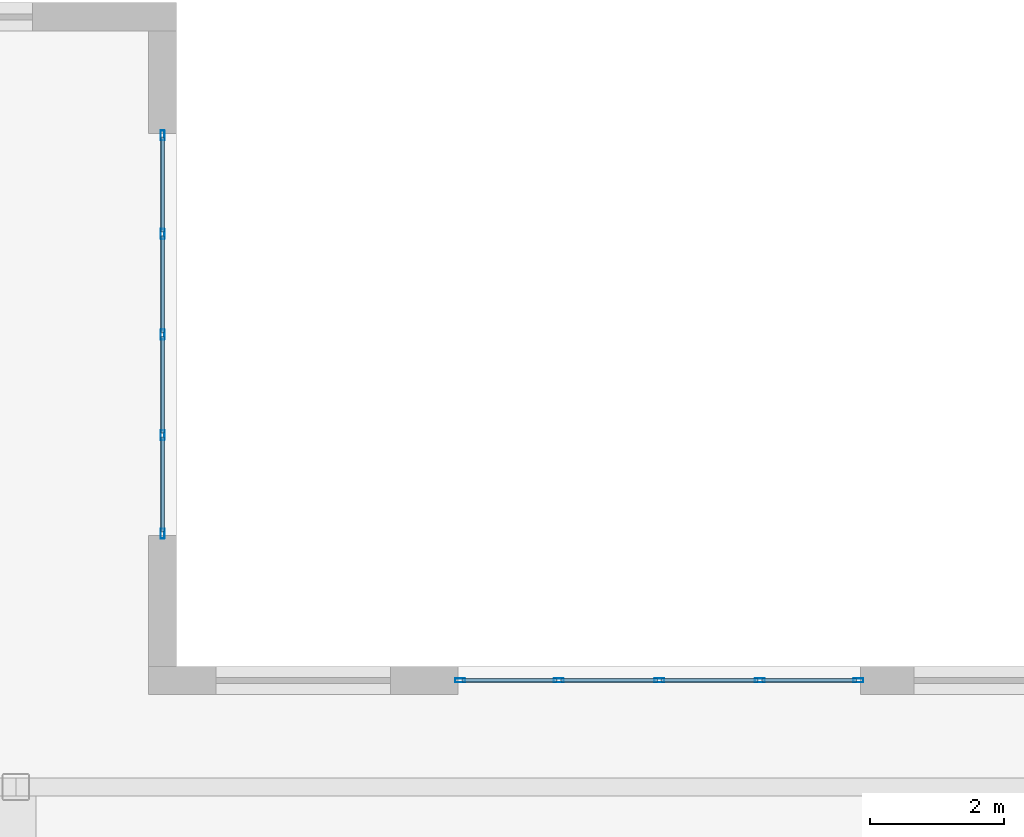
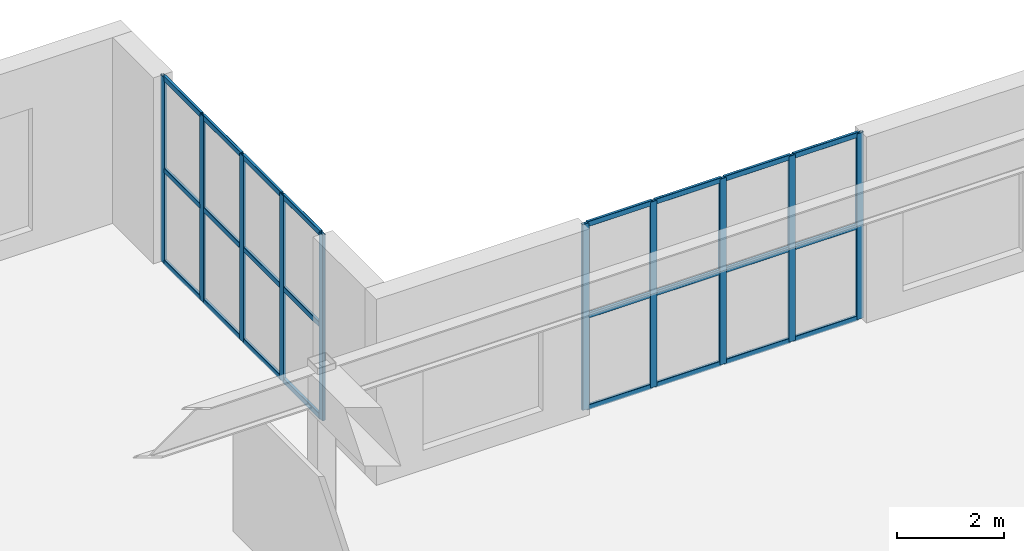
# One storey, part 7 of 15: 34 members, 2 elements without a shape of their own.
"""IFC4 building model written with IfcOpenShell, lengths in metres."""

from ifc_helpers import new_model, entity, si_unit, converted_unit, direction, frame, origin_with_axes, origin_2d_with_axis, place, context, subcontext, project, spatial, hollow_rectangle, extrude, material, material_profile, profile_set, type_object, element, aggregate, save


model = new_model("IFC4")

# Units and contexts
model_context = context("Model", 3, precision=1e-05, world=origin_with_axes(), true_north=direction((0.0, 1.0)))
body_context = subcontext(model_context, "Body", "Model", "MODEL_VIEW")
ifc_project = project(units=[si_unit("LENGTHUNIT", "METRE"), si_unit("AREAUNIT", "SQUARE_METRE"), si_unit("VOLUMEUNIT", "CUBIC_METRE"), converted_unit("PLANEANGLEUNIT", "DEGREE", entity("IfcPlaneAngleMeasure", 0.017453292519943295), si_unit("PLANEANGLEUNIT", "RADIAN"), dimensions=[0, 0, 0, 0, 0, 0, 0]), si_unit("MASSUNIT", "GRAM", prefix="KILO"), si_unit("THERMODYNAMICTEMPERATUREUNIT", "KELVIN")], contexts=[model_context])

# Site, building, storey
site_placement = place(None, origin_with_axes())
site = spatial("IfcSite", under=ifc_project, at=site_placement, CompositionType="ELEMENT")
building_placement = place(site_placement, origin_with_axes())
building = spatial("IfcBuilding", under=site, at=building_placement, Name="Varnlund Millrace Tower", CompositionType="ELEMENT")
storey_placement = place(building_placement, frame((0.0, 0.0, 15.3), z_axis=(0.0, 0.0, 1.0), x_axis=(1.0, 0.0, 0.0)))
storey = spatial("IfcBuildingStorey", under=building, at=storey_placement, Name="L03", CompositionType="ELEMENT", Elevation=15.3)

# Curtain wall, members
ifc_material_1 = material(Name="Thermally broken architectural bronze curtain wall", Category="aluminium")
curtain_wall_type = type_object("IfcCurtainWallType", Name="Type-CW-Sys3-PortalBridge", PredefinedType="NOTDEFINED", material=ifc_material_1)
curtain_wall_1_placement = place(storey_placement, frame((58.2, 39.39, 0.0), z_axis=(0.0, 0.0, 1.0), x_axis=(1.0, 0.0, 0.0)))
curtain_wall_1 = element("IfcCurtainWall", 1, at=curtain_wall_1_placement, inside=storey, type_object=curtain_wall_type, Name="Type-CW-Sys3-PortalBridge", PredefinedType="NOTDEFINED")
ifc_material_2 = material(Name="Architectural bronze aluminium alloy 6063-T6", Category="aluminium")
ifc_material_profile_1 = material_profile(ifc_material_2, hollow_rectangle(XDim=0.06, YDim=0.15, WallThickness=0.004, InnerFilletRadius=0.004, OuterFilletRadius=0.008, at=origin_2d_with_axis()), Name="Architectural bronze aluminium alloy 6063-T6")
ifc_profile_set_1 = profile_set([ifc_material_profile_1], Name="Architectural bronze aluminium alloy 6063-T6")
member_type_1 = type_object("IfcMemberType", Name="Type-CW-Mullion-60X150", PredefinedType="MULLION", material=ifc_profile_set_1)
member_1_placement = place(storey_placement, frame((58.23, 39.39, 0.0), z_axis=(0.0, 0.0, 1.0), x_axis=(0.0, 1.0, 0.0)))
member_1 = element("IfcMember", 2, at=member_1_placement, type_object=member_type_1, Name="CW-03 mullion 1", PredefinedType="MULLION", context=body_context, shape_type="SweptSolid", body=[
    extrude(hollow_rectangle(XDim=0.06, YDim=0.15, WallThickness=0.004, InnerFilletRadius=0.004, OuterFilletRadius=0.008, at=origin_2d_with_axis()), origin_with_axes(), (0.0, 0.0, 1.0), 4.26),
])
member_2_placement = place(storey_placement, frame((59.7, 39.39, 0.0), z_axis=(0.0, 0.0, 1.0), x_axis=(0.0, 1.0, 0.0)))
member_2 = element("IfcMember", 3, at=member_2_placement, type_object=member_type_1, Name="CW-03 mullion 2", PredefinedType="MULLION", context=body_context, shape_type="SweptSolid", body=[
    extrude(hollow_rectangle(XDim=0.06, YDim=0.15, WallThickness=0.004, InnerFilletRadius=0.004, OuterFilletRadius=0.008, at=origin_2d_with_axis()), origin_with_axes(), (0.0, 0.0, 1.0), 4.26),
])
member_3_placement = place(storey_placement, frame((61.2, 39.39, 0.0), z_axis=(0.0, 0.0, 1.0), x_axis=(0.0, 1.0, 0.0)))
member_3 = element("IfcMember", 4, at=member_3_placement, type_object=member_type_1, Name="CW-03 mullion 3", PredefinedType="MULLION", context=body_context, shape_type="SweptSolid", body=[
    extrude(hollow_rectangle(XDim=0.06, YDim=0.15, WallThickness=0.004, InnerFilletRadius=0.004, OuterFilletRadius=0.008, at=origin_2d_with_axis()), origin_with_axes(), (0.0, 0.0, 1.0), 4.26),
])
member_4_placement = place(storey_placement, frame((62.7, 39.39, 0.0), z_axis=(0.0, 0.0, 1.0), x_axis=(0.0, 1.0, 0.0)))
member_4 = element("IfcMember", 5, at=member_4_placement, type_object=member_type_1, Name="CW-03 mullion 4", PredefinedType="MULLION", context=body_context, shape_type="SweptSolid", body=[
    extrude(hollow_rectangle(XDim=0.06, YDim=0.15, WallThickness=0.004, InnerFilletRadius=0.004, OuterFilletRadius=0.008, at=origin_2d_with_axis()), origin_with_axes(), (0.0, 0.0, 1.0), 4.26),
])
member_5_placement = place(storey_placement, frame((64.17, 39.39, 0.0), z_axis=(0.0, 0.0, 1.0), x_axis=(0.0, 1.0, 0.0)))
member_5 = element("IfcMember", 6, at=member_5_placement, type_object=member_type_1, Name="CW-03 mullion 5", PredefinedType="MULLION", context=body_context, shape_type="SweptSolid", body=[
    extrude(hollow_rectangle(XDim=0.06, YDim=0.15, WallThickness=0.004, InnerFilletRadius=0.004, OuterFilletRadius=0.008, at=origin_2d_with_axis()), origin_with_axes(), (0.0, 0.0, 1.0), 4.26),
])

curtain_wall_2_placement = place(storey_placement, frame((53.79, 47.55, 0.0), z_axis=(0.0, 0.0, 1.0), x_axis=(1.0, 0.0, 0.0)))
curtain_wall_2 = element("IfcCurtainWall", 7, at=curtain_wall_2_placement, inside=storey, type_object=curtain_wall_type, Name="Type-CW-Sys3-PortalBridge", PredefinedType="NOTDEFINED")
member_6_placement = place(storey_placement, frame((53.79, 47.52, 0.0), z_axis=(0.0, 0.0, 1.0), x_axis=(1.0, 0.0, 0.0)))
member_6 = element("IfcMember", 8, at=member_6_placement, type_object=member_type_1, Name="CW-03 mullion 1", PredefinedType="MULLION", context=body_context, shape_type="SweptSolid", body=[
    extrude(hollow_rectangle(XDim=0.06, YDim=0.15, WallThickness=0.004, InnerFilletRadius=0.004, OuterFilletRadius=0.008, at=origin_2d_with_axis()), origin_with_axes(), (0.0, 0.0, 1.0), 4.26),
])
member_7_placement = place(storey_placement, frame((53.79, 46.05, 0.0), z_axis=(0.0, 0.0, 1.0), x_axis=(1.0, 0.0, 0.0)))
member_7 = element("IfcMember", 9, at=member_7_placement, type_object=member_type_1, Name="CW-03 mullion 2", PredefinedType="MULLION", context=body_context, shape_type="SweptSolid", body=[
    extrude(hollow_rectangle(XDim=0.06, YDim=0.15, WallThickness=0.004, InnerFilletRadius=0.004, OuterFilletRadius=0.008, at=origin_2d_with_axis()), origin_with_axes(), (0.0, 0.0, 1.0), 4.26),
])
member_8_placement = place(storey_placement, frame((53.79, 44.55, 0.0), z_axis=(0.0, 0.0, 1.0), x_axis=(1.0, 0.0, 0.0)))
member_8 = element("IfcMember", 10, at=member_8_placement, type_object=member_type_1, Name="CW-03 mullion 3", PredefinedType="MULLION", context=body_context, shape_type="SweptSolid", body=[
    extrude(hollow_rectangle(XDim=0.06, YDim=0.15, WallThickness=0.004, InnerFilletRadius=0.004, OuterFilletRadius=0.008, at=origin_2d_with_axis()), origin_with_axes(), (0.0, 0.0, 1.0), 4.26),
])
member_9_placement = place(storey_placement, frame((53.79, 43.05, 0.0), z_axis=(0.0, 0.0, 1.0), x_axis=(1.0, 0.0, 0.0)))
member_9 = element("IfcMember", 11, at=member_9_placement, type_object=member_type_1, Name="CW-03 mullion 4", PredefinedType="MULLION", context=body_context, shape_type="SweptSolid", body=[
    extrude(hollow_rectangle(XDim=0.06, YDim=0.15, WallThickness=0.004, InnerFilletRadius=0.004, OuterFilletRadius=0.008, at=origin_2d_with_axis()), origin_with_axes(), (0.0, 0.0, 1.0), 4.26),
])
member_10_placement = place(storey_placement, frame((53.79, 41.58, 0.0), z_axis=(0.0, 0.0, 1.0), x_axis=(1.0, 0.0, 0.0)))
member_10 = element("IfcMember", 12, at=member_10_placement, type_object=member_type_1, Name="CW-03 mullion 5", PredefinedType="MULLION", context=body_context, shape_type="SweptSolid", body=[
    extrude(hollow_rectangle(XDim=0.06, YDim=0.15, WallThickness=0.004, InnerFilletRadius=0.004, OuterFilletRadius=0.008, at=origin_2d_with_axis()), origin_with_axes(), (0.0, 0.0, 1.0), 4.26),
])

# Member
ifc_material_profile_2 = material_profile(ifc_material_2, hollow_rectangle(XDim=0.06, YDim=0.12, WallThickness=0.004, InnerFilletRadius=0.004, OuterFilletRadius=0.008, at=origin_2d_with_axis()), Name="Architectural bronze aluminium alloy 6063-T6")
ifc_profile_set_2 = profile_set([ifc_material_profile_2], Name="Architectural bronze aluminium alloy 6063-T6")
member_type_2 = type_object("IfcMemberType", Name="Type-CW-Transom-60X120", PredefinedType="USERDEFINED", material=ifc_profile_set_2)
member_11_placement = place(storey_placement, frame((58.26, 39.39, 0.03), z_axis=(1.0, 0.0, 0.0), x_axis=(0.0, 1.0, 0.0)))
member_11 = element("IfcMember", 13, at=member_11_placement, type_object=member_type_2, Name="CW-03 transom 1.1", ObjectType="TRANSOM", PredefinedType="USERDEFINED", context=body_context, shape_type="SweptSolid", body=[
    extrude(hollow_rectangle(XDim=0.06, YDim=0.12, WallThickness=0.004, InnerFilletRadius=0.004, OuterFilletRadius=0.008, at=origin_2d_with_axis()), origin_with_axes(), (0.0, 0.0, 1.0), 1.41),
])

member_12_placement = place(storey_placement, frame((58.26, 39.39, 2.13), z_axis=(1.0, 0.0, 0.0), x_axis=(0.0, 1.0, 0.0)))
member_12 = element("IfcMember", 14, at=member_12_placement, type_object=member_type_2, Name="CW-03 transom 1.2", ObjectType="TRANSOM", PredefinedType="USERDEFINED", context=body_context, shape_type="SweptSolid", body=[
    extrude(hollow_rectangle(XDim=0.06, YDim=0.12, WallThickness=0.004, InnerFilletRadius=0.004, OuterFilletRadius=0.008, at=origin_2d_with_axis()), origin_with_axes(), (0.0, 0.0, 1.0), 1.41),
])

member_13_placement = place(storey_placement, frame((58.26, 39.39, 4.23), z_axis=(1.0, 0.0, 0.0), x_axis=(0.0, 1.0, 0.0)))
member_13 = element("IfcMember", 15, at=member_13_placement, type_object=member_type_2, Name="CW-03 transom 1.3", ObjectType="TRANSOM", PredefinedType="USERDEFINED", context=body_context, shape_type="SweptSolid", body=[
    extrude(hollow_rectangle(XDim=0.06, YDim=0.12, WallThickness=0.004, InnerFilletRadius=0.004, OuterFilletRadius=0.008, at=origin_2d_with_axis()), origin_with_axes(), (0.0, 0.0, 1.0), 1.41),
])

member_14_placement = place(storey_placement, frame((59.73, 39.39, 0.03), z_axis=(1.0, 0.0, 0.0), x_axis=(0.0, 1.0, 0.0)))
member_14 = element("IfcMember", 16, at=member_14_placement, type_object=member_type_2, Name="CW-03 transom 2.1", ObjectType="TRANSOM", PredefinedType="USERDEFINED", context=body_context, shape_type="SweptSolid", body=[
    extrude(hollow_rectangle(XDim=0.06, YDim=0.12, WallThickness=0.004, InnerFilletRadius=0.004, OuterFilletRadius=0.008, at=origin_2d_with_axis()), origin_with_axes(), (0.0, 0.0, 1.0), 1.44),
])

member_15_placement = place(storey_placement, frame((59.73, 39.39, 2.13), z_axis=(1.0, 0.0, 0.0), x_axis=(0.0, 1.0, 0.0)))
member_15 = element("IfcMember", 17, at=member_15_placement, type_object=member_type_2, Name="CW-03 transom 2.2", ObjectType="TRANSOM", PredefinedType="USERDEFINED", context=body_context, shape_type="SweptSolid", body=[
    extrude(hollow_rectangle(XDim=0.06, YDim=0.12, WallThickness=0.004, InnerFilletRadius=0.004, OuterFilletRadius=0.008, at=origin_2d_with_axis()), origin_with_axes(), (0.0, 0.0, 1.0), 1.44),
])

member_16_placement = place(storey_placement, frame((59.73, 39.39, 4.23), z_axis=(1.0, 0.0, 0.0), x_axis=(0.0, 1.0, 0.0)))
member_16 = element("IfcMember", 18, at=member_16_placement, type_object=member_type_2, Name="CW-03 transom 2.3", ObjectType="TRANSOM", PredefinedType="USERDEFINED", context=body_context, shape_type="SweptSolid", body=[
    extrude(hollow_rectangle(XDim=0.06, YDim=0.12, WallThickness=0.004, InnerFilletRadius=0.004, OuterFilletRadius=0.008, at=origin_2d_with_axis()), origin_with_axes(), (0.0, 0.0, 1.0), 1.44),
])

member_17_placement = place(storey_placement, frame((61.23, 39.39, 0.03), z_axis=(1.0, 0.0, 0.0), x_axis=(0.0, 1.0, 0.0)))
member_17 = element("IfcMember", 19, at=member_17_placement, type_object=member_type_2, Name="CW-03 transom 3.1", ObjectType="TRANSOM", PredefinedType="USERDEFINED", context=body_context, shape_type="SweptSolid", body=[
    extrude(hollow_rectangle(XDim=0.06, YDim=0.12, WallThickness=0.004, InnerFilletRadius=0.004, OuterFilletRadius=0.008, at=origin_2d_with_axis()), origin_with_axes(), (0.0, 0.0, 1.0), 1.44),
])

member_18_placement = place(storey_placement, frame((61.23, 39.39, 2.13), z_axis=(1.0, 0.0, 0.0), x_axis=(0.0, 1.0, 0.0)))
member_18 = element("IfcMember", 20, at=member_18_placement, type_object=member_type_2, Name="CW-03 transom 3.2", ObjectType="TRANSOM", PredefinedType="USERDEFINED", context=body_context, shape_type="SweptSolid", body=[
    extrude(hollow_rectangle(XDim=0.06, YDim=0.12, WallThickness=0.004, InnerFilletRadius=0.004, OuterFilletRadius=0.008, at=origin_2d_with_axis()), origin_with_axes(), (0.0, 0.0, 1.0), 1.44),
])

member_19_placement = place(storey_placement, frame((61.23, 39.39, 4.23), z_axis=(1.0, 0.0, 0.0), x_axis=(0.0, 1.0, 0.0)))
member_19 = element("IfcMember", 21, at=member_19_placement, type_object=member_type_2, Name="CW-03 transom 3.3", ObjectType="TRANSOM", PredefinedType="USERDEFINED", context=body_context, shape_type="SweptSolid", body=[
    extrude(hollow_rectangle(XDim=0.06, YDim=0.12, WallThickness=0.004, InnerFilletRadius=0.004, OuterFilletRadius=0.008, at=origin_2d_with_axis()), origin_with_axes(), (0.0, 0.0, 1.0), 1.44),
])

member_20_placement = place(storey_placement, frame((62.73, 39.39, 0.03), z_axis=(1.0, 0.0, 0.0), x_axis=(0.0, 1.0, 0.0)))
member_20 = element("IfcMember", 22, at=member_20_placement, type_object=member_type_2, Name="CW-03 transom 4.1", ObjectType="TRANSOM", PredefinedType="USERDEFINED", context=body_context, shape_type="SweptSolid", body=[
    extrude(hollow_rectangle(XDim=0.06, YDim=0.12, WallThickness=0.004, InnerFilletRadius=0.004, OuterFilletRadius=0.008, at=origin_2d_with_axis()), origin_with_axes(), (0.0, 0.0, 1.0), 1.41),
])

member_21_placement = place(storey_placement, frame((62.73, 39.39, 2.13), z_axis=(1.0, 0.0, 0.0), x_axis=(0.0, 1.0, 0.0)))
member_21 = element("IfcMember", 23, at=member_21_placement, type_object=member_type_2, Name="CW-03 transom 4.2", ObjectType="TRANSOM", PredefinedType="USERDEFINED", context=body_context, shape_type="SweptSolid", body=[
    extrude(hollow_rectangle(XDim=0.06, YDim=0.12, WallThickness=0.004, InnerFilletRadius=0.004, OuterFilletRadius=0.008, at=origin_2d_with_axis()), origin_with_axes(), (0.0, 0.0, 1.0), 1.41),
])

member_22_placement = place(storey_placement, frame((62.73, 39.39, 4.23), z_axis=(1.0, 0.0, 0.0), x_axis=(0.0, 1.0, 0.0)))
member_22 = element("IfcMember", 24, at=member_22_placement, type_object=member_type_2, Name="CW-03 transom 4.3", ObjectType="TRANSOM", PredefinedType="USERDEFINED", context=body_context, shape_type="SweptSolid", body=[
    extrude(hollow_rectangle(XDim=0.06, YDim=0.12, WallThickness=0.004, InnerFilletRadius=0.004, OuterFilletRadius=0.008, at=origin_2d_with_axis()), origin_with_axes(), (0.0, 0.0, 1.0), 1.41),
])

aggregate(curtain_wall_1, [member_1, member_2, member_3, member_4, member_5, member_11, member_12, member_13, member_14, member_15, member_16, member_17, member_18, member_19, member_20, member_21, member_22])

member_23_placement = place(storey_placement, frame((53.79, 47.49, 0.03), z_axis=(0.0, -1.0, 0.0), x_axis=(1.0, 0.0, 0.0)))
member_23 = element("IfcMember", 25, at=member_23_placement, type_object=member_type_2, Name="CW-03 transom 1.1", ObjectType="TRANSOM", PredefinedType="USERDEFINED", context=body_context, shape_type="SweptSolid", body=[
    extrude(hollow_rectangle(XDim=0.06, YDim=0.12, WallThickness=0.004, InnerFilletRadius=0.004, OuterFilletRadius=0.008, at=origin_2d_with_axis()), origin_with_axes(), (0.0, 0.0, 1.0), 1.41),
])

member_24_placement = place(storey_placement, frame((53.79, 47.49, 2.13), z_axis=(0.0, -1.0, 0.0), x_axis=(1.0, 0.0, 0.0)))
member_24 = element("IfcMember", 26, at=member_24_placement, type_object=member_type_2, Name="CW-03 transom 1.2", ObjectType="TRANSOM", PredefinedType="USERDEFINED", context=body_context, shape_type="SweptSolid", body=[
    extrude(hollow_rectangle(XDim=0.06, YDim=0.12, WallThickness=0.004, InnerFilletRadius=0.004, OuterFilletRadius=0.008, at=origin_2d_with_axis()), origin_with_axes(), (0.0, 0.0, 1.0), 1.41),
])

member_25_placement = place(storey_placement, frame((53.79, 47.49, 4.23), z_axis=(0.0, -1.0, 0.0), x_axis=(1.0, 0.0, 0.0)))
member_25 = element("IfcMember", 27, at=member_25_placement, type_object=member_type_2, Name="CW-03 transom 1.3", ObjectType="TRANSOM", PredefinedType="USERDEFINED", context=body_context, shape_type="SweptSolid", body=[
    extrude(hollow_rectangle(XDim=0.06, YDim=0.12, WallThickness=0.004, InnerFilletRadius=0.004, OuterFilletRadius=0.008, at=origin_2d_with_axis()), origin_with_axes(), (0.0, 0.0, 1.0), 1.41),
])

member_26_placement = place(storey_placement, frame((53.79, 46.02, 0.03), z_axis=(0.0, -1.0, 0.0), x_axis=(1.0, 0.0, 0.0)))
member_26 = element("IfcMember", 28, at=member_26_placement, type_object=member_type_2, Name="CW-03 transom 2.1", ObjectType="TRANSOM", PredefinedType="USERDEFINED", context=body_context, shape_type="SweptSolid", body=[
    extrude(hollow_rectangle(XDim=0.06, YDim=0.12, WallThickness=0.004, InnerFilletRadius=0.004, OuterFilletRadius=0.008, at=origin_2d_with_axis()), origin_with_axes(), (0.0, 0.0, 1.0), 1.44),
])

member_27_placement = place(storey_placement, frame((53.79, 46.02, 2.13), z_axis=(0.0, -1.0, 0.0), x_axis=(1.0, 0.0, 0.0)))
member_27 = element("IfcMember", 29, at=member_27_placement, type_object=member_type_2, Name="CW-03 transom 2.2", ObjectType="TRANSOM", PredefinedType="USERDEFINED", context=body_context, shape_type="SweptSolid", body=[
    extrude(hollow_rectangle(XDim=0.06, YDim=0.12, WallThickness=0.004, InnerFilletRadius=0.004, OuterFilletRadius=0.008, at=origin_2d_with_axis()), origin_with_axes(), (0.0, 0.0, 1.0), 1.44),
])

member_28_placement = place(storey_placement, frame((53.79, 46.02, 4.23), z_axis=(0.0, -1.0, 0.0), x_axis=(1.0, 0.0, 0.0)))
member_28 = element("IfcMember", 30, at=member_28_placement, type_object=member_type_2, Name="CW-03 transom 2.3", ObjectType="TRANSOM", PredefinedType="USERDEFINED", context=body_context, shape_type="SweptSolid", body=[
    extrude(hollow_rectangle(XDim=0.06, YDim=0.12, WallThickness=0.004, InnerFilletRadius=0.004, OuterFilletRadius=0.008, at=origin_2d_with_axis()), origin_with_axes(), (0.0, 0.0, 1.0), 1.44),
])

member_29_placement = place(storey_placement, frame((53.79, 44.52, 0.03), z_axis=(0.0, -1.0, 0.0), x_axis=(1.0, 0.0, 0.0)))
member_29 = element("IfcMember", 31, at=member_29_placement, type_object=member_type_2, Name="CW-03 transom 3.1", ObjectType="TRANSOM", PredefinedType="USERDEFINED", context=body_context, shape_type="SweptSolid", body=[
    extrude(hollow_rectangle(XDim=0.06, YDim=0.12, WallThickness=0.004, InnerFilletRadius=0.004, OuterFilletRadius=0.008, at=origin_2d_with_axis()), origin_with_axes(), (0.0, 0.0, 1.0), 1.44),
])

member_30_placement = place(storey_placement, frame((53.79, 44.52, 2.13), z_axis=(0.0, -1.0, 0.0), x_axis=(1.0, 0.0, 0.0)))
member_30 = element("IfcMember", 32, at=member_30_placement, type_object=member_type_2, Name="CW-03 transom 3.2", ObjectType="TRANSOM", PredefinedType="USERDEFINED", context=body_context, shape_type="SweptSolid", body=[
    extrude(hollow_rectangle(XDim=0.06, YDim=0.12, WallThickness=0.004, InnerFilletRadius=0.004, OuterFilletRadius=0.008, at=origin_2d_with_axis()), origin_with_axes(), (0.0, 0.0, 1.0), 1.44),
])

member_31_placement = place(storey_placement, frame((53.79, 44.52, 4.23), z_axis=(0.0, -1.0, 0.0), x_axis=(1.0, 0.0, 0.0)))
member_31 = element("IfcMember", 33, at=member_31_placement, type_object=member_type_2, Name="CW-03 transom 3.3", ObjectType="TRANSOM", PredefinedType="USERDEFINED", context=body_context, shape_type="SweptSolid", body=[
    extrude(hollow_rectangle(XDim=0.06, YDim=0.12, WallThickness=0.004, InnerFilletRadius=0.004, OuterFilletRadius=0.008, at=origin_2d_with_axis()), origin_with_axes(), (0.0, 0.0, 1.0), 1.44),
])

member_32_placement = place(storey_placement, frame((53.79, 43.02, 0.03), z_axis=(0.0, -1.0, 0.0), x_axis=(1.0, 0.0, 0.0)))
member_32 = element("IfcMember", 34, at=member_32_placement, type_object=member_type_2, Name="CW-03 transom 4.1", ObjectType="TRANSOM", PredefinedType="USERDEFINED", context=body_context, shape_type="SweptSolid", body=[
    extrude(hollow_rectangle(XDim=0.06, YDim=0.12, WallThickness=0.004, InnerFilletRadius=0.004, OuterFilletRadius=0.008, at=origin_2d_with_axis()), origin_with_axes(), (0.0, 0.0, 1.0), 1.41),
])

member_33_placement = place(storey_placement, frame((53.79, 43.02, 2.13), z_axis=(0.0, -1.0, 0.0), x_axis=(1.0, 0.0, 0.0)))
member_33 = element("IfcMember", 35, at=member_33_placement, type_object=member_type_2, Name="CW-03 transom 4.2", ObjectType="TRANSOM", PredefinedType="USERDEFINED", context=body_context, shape_type="SweptSolid", body=[
    extrude(hollow_rectangle(XDim=0.06, YDim=0.12, WallThickness=0.004, InnerFilletRadius=0.004, OuterFilletRadius=0.008, at=origin_2d_with_axis()), origin_with_axes(), (0.0, 0.0, 1.0), 1.41),
])

member_34_placement = place(storey_placement, frame((53.79, 43.02, 4.23), z_axis=(0.0, -1.0, 0.0), x_axis=(1.0, 0.0, 0.0)))
member_34 = element("IfcMember", 36, at=member_34_placement, type_object=member_type_2, Name="CW-03 transom 4.3", ObjectType="TRANSOM", PredefinedType="USERDEFINED", context=body_context, shape_type="SweptSolid", body=[
    extrude(hollow_rectangle(XDim=0.06, YDim=0.12, WallThickness=0.004, InnerFilletRadius=0.004, OuterFilletRadius=0.008, at=origin_2d_with_axis()), origin_with_axes(), (0.0, 0.0, 1.0), 1.41),
])

aggregate(curtain_wall_2, [member_6, member_7, member_8, member_9, member_10, member_23, member_24, member_25, member_26, member_27, member_28, member_29, member_30, member_31, member_32, member_33, member_34])

save(model, "model.ifc")
